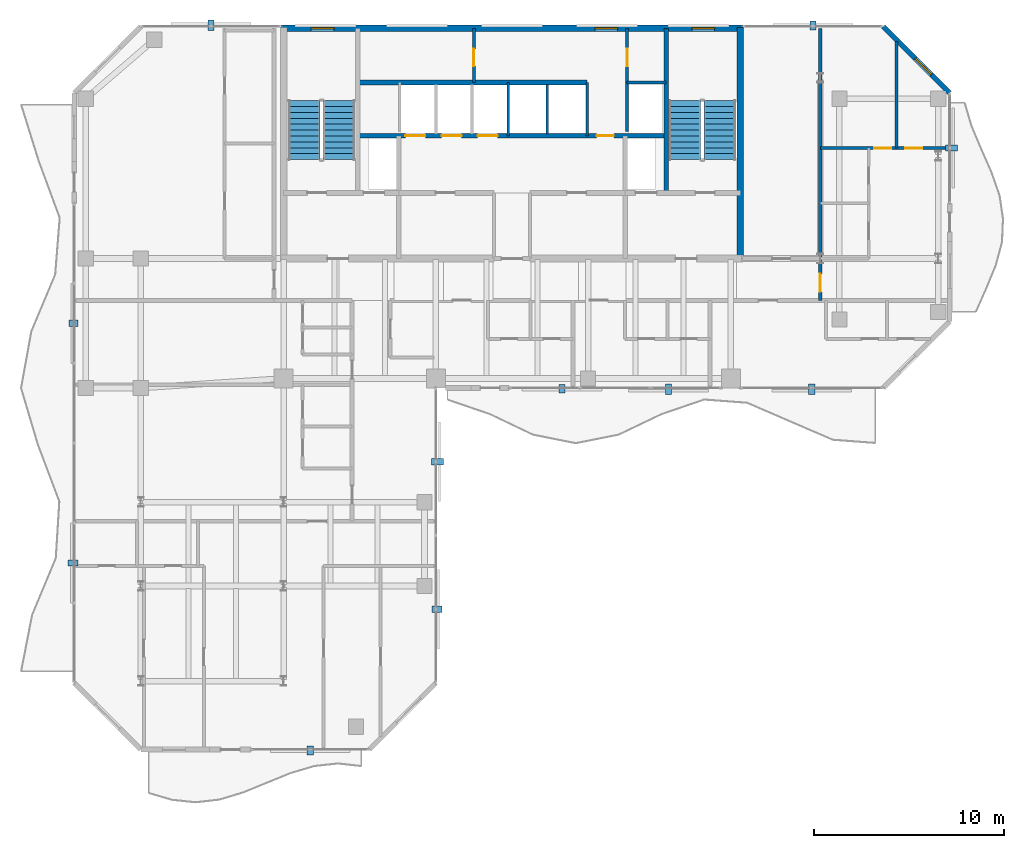
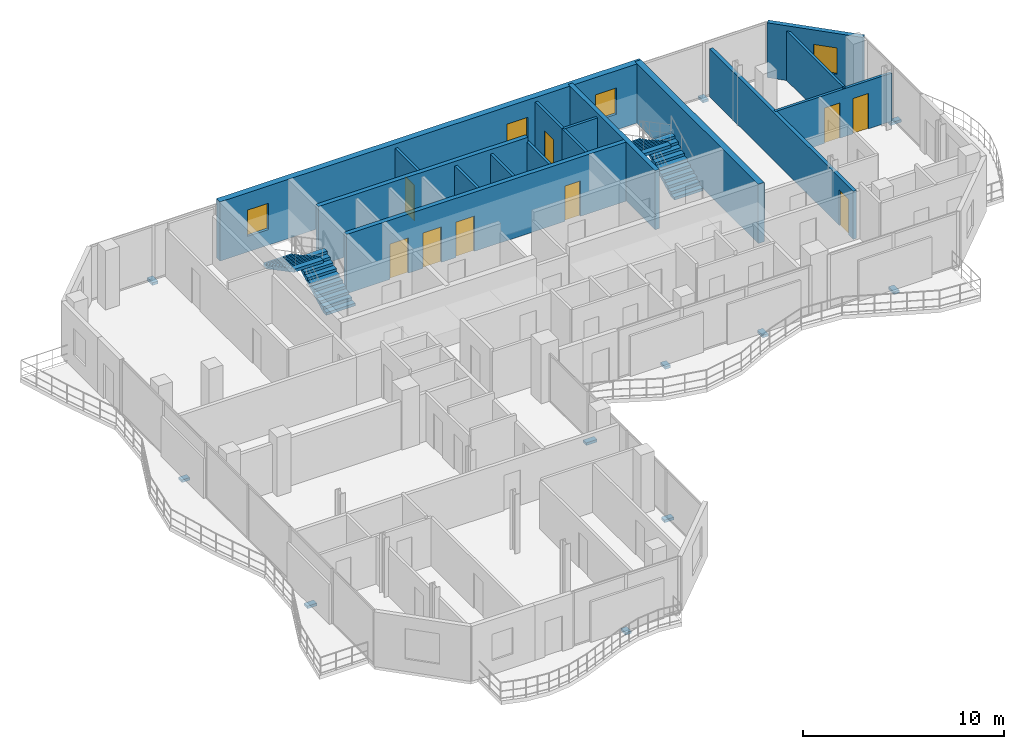
# One storey, part 20 of 23: 16 walls, 11 discrete accessories, 9 doors, 4 stair flights, 4 windows, 13 openings, 2 elements without a shape of their own.
"""IFC4 building model written with IfcOpenShell, lengths in metres."""

from ifc_helpers import new_model, si_unit, direction, frame, frame_2d, origin, origin_2d, place, context, subcontext, project, spatial, polyline, rectangle, outline, extrude, material, layer, layer_set, type_object, element, fill, aggregate, save


model = new_model("IFC4")

# Units and contexts
model_context = context("Model", 3, precision=1e-05, world=origin(), true_north=direction((0.0, 1.0)))
body_context = subcontext(model_context, "Body", "Model", "MODEL_VIEW")
ifc_project = project(units=[si_unit("LENGTHUNIT", "METRE"), si_unit("AREAUNIT", "SQUARE_METRE"), si_unit("VOLUMEUNIT", "CUBIC_METRE"), si_unit("PLANEANGLEUNIT", "RADIAN"), si_unit("MASSUNIT", "GRAM", prefix="KILO")], contexts=[model_context])

# Site, building, storey
site_placement = place(None, origin())
site = spatial("IfcSite", under=ifc_project, at=site_placement, CompositionType="ELEMENT")
building_placement = place(site_placement, origin())
building = spatial("IfcBuilding", under=site, at=building_placement, Name="Catumbela Crestline Tower", CompositionType="ELEMENT")
storey_placement = place(building_placement, frame((0.0, 0.0, 183.0)))
storey = spatial("IfcBuildingStorey", under=building, at=storey_placement, Name="L47", CompositionType="ELEMENT", Elevation=183.0)

# Wall
ifc_material_1 = material(Name="Concrete C50/60", Category="concrete")
ifc_layer_1 = layer(ifc_material_1, 0.25, Name="Concrete C50/60")
ifc_layer_set_1 = layer_set([ifc_layer_1], Name="Concrete C50/60")
wall_type_1 = type_object("IfcWallType", Name="CW-250D", PredefinedType="SHEAR", material=ifc_layer_set_1)
wall_1_placement = place(storey_placement, frame((36.1, 34.25, 0.0), z_axis=(0.0, 0.0, 1.0), x_axis=(0.0, 1.0, 0.0)))
element("IfcWall", 1, at=wall_1_placement, inside=storey, type_object=wall_type_1, Name="L47 Structural Core Shear Wall EWEB", PredefinedType="SHEAR", context=body_context, shape_type="SweptSolid", body=[
    extrude(rectangle(XDim=8.65, YDim=0.25, at=frame_2d((4.325, 0.0))), origin(), (0.0, 0.0, 1.0), 3.6),
])

# Wall, openings, doors
wall_2_placement = place(storey_placement, frame((19.9, 37.25, 0.0), z_axis=(0.0, 0.0, 1.0), x_axis=(1.0, 0.0, 0.0)))
wall_2 = element("IfcWall", 2, at=wall_2_placement, inside=storey, type_object=wall_type_1, Name="L47 Structural Core Shear Wall LIFTN", PredefinedType="SHEAR", context=body_context, shape_type="SweptSolid", body=[
    extrude(rectangle(XDim=16.2, YDim=0.25, at=frame_2d((8.1, 0.0))), origin(), (0.0, 0.0, 1.0), 3.6),
])
opening_1_placement = place(wall_2_placement, frame((12.55, 0.0, 0.0)))
opening_1 = element("IfcOpeningElement", 3, at=opening_1_placement, cuts=wall_2, Name="Opening DF9-090", PredefinedType="OPENING", context=body_context, shape_type="SweptSolid", body=[
    extrude(rectangle(XDim=0.9, YDim=2.15, at=frame_2d((0.45, 1.075))), frame((0.0, 0.135, 0.0), z_axis=(0.0, -1.0, 0.0), x_axis=(1.0, 0.0, 0.0)), (0.0, 0.0, 1.0), 0.27),
])
opening_2_placement = place(wall_2_placement, frame((2.5, 0.0, 0.0)))
opening_2 = element("IfcOpeningElement", 4, at=opening_2_placement, cuts=wall_2, Name="Opening LD-105", PredefinedType="OPENING", context=body_context, shape_type="SweptSolid", body=[
    extrude(rectangle(XDim=1.05, YDim=2.15, at=frame_2d((0.525, 1.075))), frame((0.0, 0.135, 0.0), z_axis=(0.0, -1.0, 0.0), x_axis=(1.0, 0.0, 0.0)), (0.0, 0.0, 1.0), 0.27),
])
opening_3_placement = place(wall_2_placement, frame((4.4, 0.0, 0.0)))
opening_3 = element("IfcOpeningElement", 5, at=opening_3_placement, cuts=wall_2, Name="Opening LD-105", PredefinedType="OPENING", context=body_context, shape_type="SweptSolid", body=[
    extrude(rectangle(XDim=1.05, YDim=2.15, at=frame_2d((0.525, 1.075))), frame((0.0, 0.135, 0.0), z_axis=(0.0, -1.0, 0.0), x_axis=(1.0, 0.0, 0.0)), (0.0, 0.0, 1.0), 0.27),
])
opening_4_placement = place(wall_2_placement, frame((6.3, 0.0, 0.0)))
opening_4 = element("IfcOpeningElement", 6, at=opening_4_placement, cuts=wall_2, Name="Opening LD-105", PredefinedType="OPENING", context=body_context, shape_type="SweptSolid", body=[
    extrude(rectangle(XDim=1.05, YDim=2.15, at=frame_2d((0.525, 1.075))), frame((0.0, 0.135, 0.0), z_axis=(0.0, -1.0, 0.0), x_axis=(1.0, 0.0, 0.0)), (0.0, 0.0, 1.0), 0.27),
])
ifc_material_2 = material(Name="Stainless steel EN 1.4401", Category="steel")
door_type_1 = type_object("IfcDoorType", Name="DF9-090", OperationType="NOTDEFINED", PredefinedType="DOOR", material=ifc_material_2)
door_1_placement = place(opening_1_placement, origin())
door_1 = element("IfcDoor", 7, at=door_1_placement, inside=storey, type_object=door_type_1, Name="L47 Interior Door DR-L47-CPAS1", OperationType="SINGLE_SWING_LEFT", OverallHeight=2.15, OverallWidth=0.9, PredefinedType="DOOR", context=body_context, shape_type="SweptSolid", body=[
    extrude(rectangle(XDim=0.9, YDim=2.15, at=frame_2d((0.45, 1.075))), frame((0.0, 0.025, 0.0), z_axis=(0.0, -1.0, 0.0), x_axis=(1.0, 0.0, 0.0)), (0.0, 0.0, 1.0), 0.05),
])
fill(opening_1, door_1)
door_type_2 = type_object("IfcDoorType", Name="LD-105", OperationType="NOTDEFINED", PredefinedType="DOOR", material=ifc_material_2)
door_2_placement = place(opening_2_placement, origin())
door_2 = element("IfcDoor", 8, at=door_2_placement, inside=storey, type_object=door_type_2, Name="L47 Lift Landing Sliding Door PL-H1", OperationType="DOUBLE_DOOR_SLIDING", OverallHeight=2.15, OverallWidth=1.05, PredefinedType="DOOR", context=body_context, shape_type="SweptSolid", body=[
    extrude(rectangle(XDim=1.05, YDim=2.15, at=frame_2d((0.525, 1.075))), frame((0.0, 0.025, 0.0), z_axis=(0.0, -1.0, 0.0), x_axis=(1.0, 0.0, 0.0)), (0.0, 0.0, 1.0), 0.05),
])
fill(opening_2, door_2)
door_3_placement = place(opening_3_placement, origin())
door_3 = element("IfcDoor", 9, at=door_3_placement, inside=storey, type_object=door_type_2, Name="L47 Lift Landing Sliding Door PL-H2", OperationType="DOUBLE_DOOR_SLIDING", OverallHeight=2.15, OverallWidth=1.05, PredefinedType="DOOR", context=body_context, shape_type="SweptSolid", body=[
    extrude(rectangle(XDim=1.05, YDim=2.15, at=frame_2d((0.525, 1.075))), frame((0.0, 0.025, 0.0), z_axis=(0.0, -1.0, 0.0), x_axis=(1.0, 0.0, 0.0)), (0.0, 0.0, 1.0), 0.05),
])
fill(opening_3, door_3)
door_4_placement = place(opening_4_placement, origin())
door_4 = element("IfcDoor", 10, at=door_4_placement, inside=storey, type_object=door_type_2, Name="L47 Lift Landing Sliding Door PL-H3", OperationType="DOUBLE_DOOR_SLIDING", OverallHeight=2.15, OverallWidth=1.05, PredefinedType="DOOR", context=body_context, shape_type="SweptSolid", body=[
    extrude(rectangle(XDim=1.05, YDim=2.15, at=frame_2d((0.525, 1.075))), frame((0.0, 0.025, 0.0), z_axis=(0.0, -1.0, 0.0), x_axis=(1.0, 0.0, 0.0)), (0.0, 0.0, 1.0), 0.05),
])
fill(opening_4, door_4)

# Walls
wall_3_placement = place(storey_placement, frame((19.9, 40.05, 0.0), z_axis=(0.0, 0.0, 1.0), x_axis=(1.0, 0.0, 0.0)))
element("IfcWall", 11, at=wall_3_placement, inside=storey, type_object=wall_type_1, Name="L47 Structural Core Shear Wall COREN", PredefinedType="SHEAR", context=body_context, shape_type="SweptSolid", body=[
    extrude(rectangle(XDim=12.05, YDim=0.25, at=frame_2d((6.025, 0.0))), origin(), (0.0, 0.0, 1.0), 3.6),
])
ifc_layer_2 = layer(ifc_material_1, 0.35, Name="Concrete C50/60")
ifc_layer_set_2 = layer_set([ifc_layer_2], Name="Concrete C50/60")
wall_type_2 = type_object("IfcWallType", Name="CW-350B", PredefinedType="SHEAR", material=ifc_layer_set_2)
wall_4_placement = place(storey_placement, frame((40.0, 30.65, 0.0), z_axis=(0.0, 0.0, 1.0), x_axis=(0.0, 1.0, 0.0)))
element("IfcWall", 12, at=wall_4_placement, inside=storey, type_object=wall_type_2, Name="L47 Structural Core Shear Wall E", PredefinedType="SHEAR", context=body_context, shape_type="SweptSolid", body=[
    extrude(rectangle(XDim=12.3, YDim=0.35, at=frame_2d((6.15, 0.0))), origin(), (0.0, 0.0, 1.0), 3.6),
])

# Wall, openings, windows
ifc_layer_3 = layer(ifc_material_1, 0.35, Name="Concrete C50/60")
ifc_layer_set_3 = layer_set([ifc_layer_3], Name="Concrete C50/60")
wall_type_3 = type_object("IfcWallType", Name="CW-350E", PredefinedType="SHEAR", material=ifc_layer_set_3)
wall_5_placement = place(storey_placement, frame((15.85, 42.9, 0.0), z_axis=(0.0, 0.0, 1.0), x_axis=(1.0, 0.0, 0.0)))
wall_5 = element("IfcWall", 13, at=wall_5_placement, inside=storey, type_object=wall_type_3, Name="L47 Structural Core Shear Wall N", PredefinedType="SHEAR", context=body_context, shape_type="SweptSolid", body=[
    extrude(rectangle(XDim=24.3, YDim=0.35, at=frame_2d((12.15, 0.0))), origin(), (0.0, 0.0, 1.0), 3.6),
])
opening_5_placement = place(wall_5_placement, frame((1.6, 0.0, 0.95)))
opening_5 = element("IfcOpeningElement", 14, at=opening_5_placement, cuts=wall_5, Name="Opening WN-02", PredefinedType="OPENING", context=body_context, shape_type="SweptSolid", body=[
    extrude(rectangle(XDim=1.2, YDim=1.6, at=frame_2d((0.6, 0.8))), frame((0.0, 0.185, 0.0), z_axis=(0.0, -1.0, 0.0), x_axis=(1.0, 0.0, 0.0)), (0.0, 0.0, 1.0), 0.37),
])
opening_6_placement = place(wall_5_placement, frame((16.5, 0.0, 0.95)))
opening_6 = element("IfcOpeningElement", 15, at=opening_6_placement, cuts=wall_5, Name="Opening WN-02", PredefinedType="OPENING", context=body_context, shape_type="SweptSolid", body=[
    extrude(rectangle(XDim=1.2, YDim=1.6, at=frame_2d((0.6, 0.8))), frame((0.0, 0.185, 0.0), z_axis=(0.0, -1.0, 0.0), x_axis=(1.0, 0.0, 0.0)), (0.0, 0.0, 1.0), 0.37),
])
opening_7_placement = place(wall_5_placement, frame((21.6, 0.0, 0.95)))
opening_7 = element("IfcOpeningElement", 16, at=opening_7_placement, cuts=wall_5, Name="Opening WN-02", PredefinedType="OPENING", context=body_context, shape_type="SweptSolid", body=[
    extrude(rectangle(XDim=1.2, YDim=1.6, at=frame_2d((0.6, 0.8))), frame((0.0, 0.185, 0.0), z_axis=(0.0, -1.0, 0.0), x_axis=(1.0, 0.0, 0.0)), (0.0, 0.0, 1.0), 0.37),
])
ifc_material_3 = material(Name="Low-E laminated solar-control double glazing", Category="glass")
window_type = type_object("IfcWindowType", Name="WO-1200", PartitioningType="SINGLE_PANEL", PredefinedType="WINDOW", material=ifc_material_3)
window_1_placement = place(opening_5_placement, origin())
window_1 = element("IfcWindow", 17, at=window_1_placement, inside=storey, type_object=window_type, Name="L47 North Core Daylight Vision Window 293", OverallHeight=1.6, OverallWidth=1.2, PartitioningType="SINGLE_PANEL", PredefinedType="WINDOW", context=body_context, shape_type="SweptSolid", body=[
    extrude(rectangle(XDim=1.2, YDim=1.6, at=frame_2d((0.6, 0.8))), frame((0.0, 0.03, 0.0), z_axis=(0.0, -1.0, 0.0), x_axis=(1.0, 0.0, 0.0)), (0.0, 0.0, 1.0), 0.06),
])
fill(opening_5, window_1)
window_2_placement = place(opening_6_placement, origin())
window_2 = element("IfcWindow", 18, at=window_2_placement, inside=storey, type_object=window_type, Name="L47 North Core Daylight Vision Window 294", OverallHeight=1.6, OverallWidth=1.2, PartitioningType="SINGLE_PANEL", PredefinedType="WINDOW", context=body_context, shape_type="SweptSolid", body=[
    extrude(rectangle(XDim=1.2, YDim=1.6, at=frame_2d((0.6, 0.8))), frame((0.0, 0.03, 0.0), z_axis=(0.0, -1.0, 0.0), x_axis=(1.0, 0.0, 0.0)), (0.0, 0.0, 1.0), 0.06),
])
fill(opening_6, window_2)
window_3_placement = place(opening_7_placement, origin())
window_3 = element("IfcWindow", 19, at=window_3_placement, inside=storey, type_object=window_type, Name="L47 North Core Daylight Vision Window 295", OverallHeight=1.6, OverallWidth=1.2, PartitioningType="SINGLE_PANEL", PredefinedType="WINDOW", context=body_context, shape_type="SweptSolid", body=[
    extrude(rectangle(XDim=1.2, YDim=1.6, at=frame_2d((0.6, 0.8))), frame((0.0, 0.03, 0.0), z_axis=(0.0, -1.0, 0.0), x_axis=(1.0, 0.0, 0.0)), (0.0, 0.0, 1.0), 0.06),
])
fill(opening_7, window_3)

# Wall, opening, door
ifc_material_4 = material(Name="Acoustic gypsum and mineral-wool partition")
ifc_layer_4 = layer(ifc_material_4, 0.2, Name="Acoustic gypsum and mineral-wool partition")
ifc_layer_set_4 = layer_set([ifc_layer_4], Name="Acoustic gypsum and mineral-wool partition")
wall_type_4 = type_object("IfcWallType", Name="WC-200", PredefinedType="PARTITIONING", material=ifc_layer_set_4)
wall_6_placement = place(storey_placement, frame((44.2, 28.6, 0.0), z_axis=(0.0, 0.0, 1.0), x_axis=(0.0, 1.0, 0.0)))
wall_6 = element("IfcWall", 20, at=wall_6_placement, inside=storey, type_object=wall_type_4, Name="L47 Interior Partition PW-L47-NE1-ENT", PredefinedType="PARTITIONING", context=body_context, shape_type="SweptSolid", body=[
    extrude(rectangle(XDim=14.3, YDim=0.2, at=frame_2d((7.15, 0.0))), origin(), (0.0, 0.0, 1.0), 2.92),
])
opening_8_placement = place(wall_6_placement, frame((0.445, 0.0, 0.0)))
opening_8 = element("IfcOpeningElement", 21, at=opening_8_placement, cuts=wall_6, Name="Opening DF6-095", PredefinedType="OPENING", context=body_context, shape_type="SweptSolid", body=[
    extrude(rectangle(XDim=0.95, YDim=2.15, at=frame_2d((0.475, 1.075))), frame((0.0, 0.11, 0.0), z_axis=(0.0, -1.0, 0.0), x_axis=(1.0, 0.0, 0.0)), (0.0, 0.0, 1.0), 0.22),
])
ifc_material_5 = material(Name="Aluminium alloy AW-6060-T66", Category="aluminium")
door_type_3 = type_object("IfcDoorType", Name="DF6-095", OperationType="NOTDEFINED", PredefinedType="DOOR", material=ifc_material_5)
door_5_placement = place(opening_8_placement, origin())
door_5 = element("IfcDoor", 22, at=door_5_placement, inside=storey, type_object=door_type_3, Name="L47 Interior Door DR-L47-NE1-ENT", OperationType="SINGLE_SWING_LEFT", OverallHeight=2.15, OverallWidth=0.95, PredefinedType="DOOR", context=body_context, shape_type="SweptSolid", body=[
    extrude(rectangle(XDim=0.95, YDim=2.15, at=frame_2d((0.475, 1.075))), frame((0.0, 0.025, 0.0), z_axis=(0.0, -1.0, 0.0), x_axis=(1.0, 0.0, 0.0)), (0.0, 0.0, 1.0), 0.05),
])
fill(opening_8, door_5)

# Wall, opening, window
ifc_material_6 = material(Name="Angolan grey-ochre granite", Category="masonry")
ifc_layer_5 = layer(ifc_material_6, 0.25, Name="Angolan grey-ochre granite")
ifc_layer_set_5 = layer_set([ifc_layer_5], Name="Angolan grey-ochre granite")
wall_type_5 = type_object("IfcWallType", Name="WE-250", PredefinedType="STANDARD", material=ifc_layer_set_5)
wall_7_placement = place(storey_placement, frame((51.0, 39.5, 0.0), z_axis=(0.0, 0.0, 1.0), x_axis=(-0.707106781187, 0.707106781187, 0.0)))
wall_7 = element("IfcWall", 23, at=wall_7_placement, inside=storey, type_object=wall_type_5, Name="L47 Granite Punched Window Wall 6-1", PredefinedType="STANDARD", context=body_context, shape_type="SweptSolid", body=[
    extrude(rectangle(XDim=4.9497, YDim=0.25, at=frame_2d((2.4748, 0.0))), origin(), (0.0, 0.0, 1.0), 3.33),
])
opening_9_placement = place(wall_7_placement, frame((1.3574, 0.0, 0.85)))
opening_9 = element("IfcOpeningElement", 24, at=opening_9_placement, cuts=wall_7, Name="Opening WN-02", PredefinedType="OPENING", context=body_context, shape_type="SweptSolid", body=[
    extrude(rectangle(XDim=1.2, YDim=1.6, at=frame_2d((0.6, 0.8))), frame((0.0, 0.135, 0.0), z_axis=(0.0, -1.0, 0.0), x_axis=(1.0, 0.0, 0.0)), (0.0, 0.0, 1.0), 0.27),
])
window_4_placement = place(opening_9_placement, origin())
window_4 = element("IfcWindow", 25, at=window_4_placement, inside=storey, type_object=window_type, Name="L47 Facade Vision Window 300", OverallHeight=1.6, OverallWidth=1.2, PartitioningType="SINGLE_PANEL", PredefinedType="WINDOW", context=body_context, shape_type="SweptSolid", body=[
    extrude(rectangle(XDim=1.2, YDim=1.6, at=frame_2d((0.6, 0.8))), frame((0.0, 0.03, 0.0), z_axis=(0.0, -1.0, 0.0), x_axis=(1.0, 0.0, 0.0)), (0.0, 0.0, 1.0), 0.06),
])
fill(opening_9, window_4)

# Wall
ifc_layer_6 = layer(ifc_material_4, 0.15, Name="Acoustic gypsum and mineral-wool partition")
ifc_layer_set_6 = layer_set([ifc_layer_6], Name="Acoustic gypsum and mineral-wool partition")
wall_type_6 = type_object("IfcWallType", Name="WP-150", PredefinedType="PARTITIONING", material=ifc_layer_set_6)
wall_8_placement = place(storey_placement, frame((34.05, 40.05, 0.0), z_axis=(0.0, 0.0, 1.0), x_axis=(1.0, 0.0, 0.0)))
element("IfcWall", 26, at=wall_8_placement, inside=storey, type_object=wall_type_6, Name="L47 Interior Partition PW-L47-CR-ES", PredefinedType="PARTITIONING", context=body_context, shape_type="SweptSolid", body=[
    extrude(rectangle(XDim=2.05, YDim=0.15, at=frame_2d((1.025, 0.0))), origin(), (0.0, 0.0, 1.0), 3.33),
])

# Wall, opening, door
wall_9_placement = place(storey_placement, frame((34.05, 40.05, 0.0), z_axis=(0.0, 0.0, 1.0), x_axis=(0.0, 1.0, 0.0)))
wall_9 = element("IfcWall", 27, at=wall_9_placement, inside=storey, type_object=wall_type_6, Name="L47 Interior Partition PW-L47-CR-EW", PredefinedType="PARTITIONING", context=body_context, shape_type="SweptSolid", body=[
    extrude(rectangle(XDim=2.85, YDim=0.15, at=frame_2d((1.425, 0.0))), origin(), (0.0, 0.0, 1.0), 3.33),
])
opening_10_placement = place(wall_9_placement, frame((0.865, 0.0, 0.0)))
opening_10 = element("IfcOpeningElement", 28, at=opening_10_placement, cuts=wall_9, Name="Opening DF9-090", PredefinedType="OPENING", context=body_context, shape_type="SweptSolid", body=[
    extrude(rectangle(XDim=0.9, YDim=2.15, at=frame_2d((0.45, 1.075))), frame((0.0, 0.085, 0.0), z_axis=(0.0, -1.0, 0.0), x_axis=(1.0, 0.0, 0.0)), (0.0, 0.0, 1.0), 0.17),
])
door_6_placement = place(opening_10_placement, origin())
door_6 = element("IfcDoor", 29, at=door_6_placement, inside=storey, type_object=door_type_1, Name="L47 Interior Door DR-L47-CREAST", OperationType="SINGLE_SWING_RIGHT", OverallHeight=2.15, OverallWidth=0.9, PredefinedType="DOOR", context=body_context, shape_type="SweptSolid", body=[
    extrude(rectangle(XDim=0.9, YDim=2.15, at=frame_2d((0.45, 1.075))), frame((0.0, 0.025, 0.0), z_axis=(0.0, -1.0, 0.0), x_axis=(1.0, 0.0, 0.0)), (0.0, 0.0, 1.0), 0.05),
])
fill(opening_10, door_6)

wall_10_placement = place(storey_placement, frame((26.0, 40.05, 0.0), z_axis=(0.0, 0.0, 1.0), x_axis=(0.0, 1.0, 0.0)))
wall_10 = element("IfcWall", 30, at=wall_10_placement, inside=storey, type_object=wall_type_6, Name="L47 Interior Partition PW-L47-CR-WW", PredefinedType="PARTITIONING", context=body_context, shape_type="SweptSolid", body=[
    extrude(rectangle(XDim=2.85, YDim=0.15, at=frame_2d((1.425, 0.0))), origin(), (0.0, 0.0, 1.0), 3.33),
])
opening_11_placement = place(wall_10_placement, frame((0.865, 0.0, 0.0)))
opening_11 = element("IfcOpeningElement", 31, at=opening_11_placement, cuts=wall_10, Name="Opening DF9-090", PredefinedType="OPENING", context=body_context, shape_type="SweptSolid", body=[
    extrude(rectangle(XDim=0.9, YDim=2.15, at=frame_2d((0.45, 1.075))), frame((0.0, 0.085, 0.0), z_axis=(0.0, -1.0, 0.0), x_axis=(1.0, 0.0, 0.0)), (0.0, 0.0, 1.0), 0.17),
])
door_7_placement = place(opening_11_placement, origin())
door_7 = element("IfcDoor", 32, at=door_7_placement, inside=storey, type_object=door_type_1, Name="L47 Interior Door DR-L47-CRWEST", OperationType="SINGLE_SWING_LEFT", OverallHeight=2.15, OverallWidth=0.9, PredefinedType="DOOR", context=body_context, shape_type="SweptSolid", body=[
    extrude(rectangle(XDim=0.9, YDim=2.15, at=frame_2d((0.45, 1.075))), frame((0.0, 0.025, 0.0), z_axis=(0.0, -1.0, 0.0), x_axis=(1.0, 0.0, 0.0)), (0.0, 0.0, 1.0), 0.05),
])
fill(opening_11, door_7)

# Wall, openings, doors
wall_11_placement = place(storey_placement, frame((44.2, 36.608, 0.0), z_axis=(0.0, 0.0, 1.0), x_axis=(1.0, 0.0, 0.0)))
wall_11 = element("IfcWall", 33, at=wall_11_placement, inside=storey, type_object=wall_type_6, Name="L47 Interior Partition PW-L47-NE1-KBN", PredefinedType="PARTITIONING", context=body_context, shape_type="SweptSolid", body=[
    extrude(rectangle(XDim=6.7, YDim=0.15, at=frame_2d((3.35, 0.0))), origin(), (0.0, 0.0, 1.0), 2.92),
])
opening_12_placement = place(wall_11_placement, frame((2.821, 0.0, 0.0)))
opening_12 = element("IfcOpeningElement", 34, at=opening_12_placement, cuts=wall_11, Name="Opening DI-090", PredefinedType="OPENING", context=body_context, shape_type="SweptSolid", body=[
    extrude(rectangle(XDim=0.9, YDim=2.15, at=frame_2d((0.45, 1.075))), frame((0.0, 0.085, 0.0), z_axis=(0.0, -1.0, 0.0), x_axis=(1.0, 0.0, 0.0)), (0.0, 0.0, 1.0), 0.17),
])
opening_13_placement = place(wall_11_placement, frame((4.4569, 0.0, 0.0)))
opening_13 = element("IfcOpeningElement", 35, at=opening_13_placement, cuts=wall_11, Name="Opening DI-090", PredefinedType="OPENING", context=body_context, shape_type="SweptSolid", body=[
    extrude(rectangle(XDim=0.9, YDim=2.15, at=frame_2d((0.45, 1.075))), frame((0.0, 0.085, 0.0), z_axis=(0.0, -1.0, 0.0), x_axis=(1.0, 0.0, 0.0)), (0.0, 0.0, 1.0), 0.17),
])
door_type_4 = type_object("IfcDoorType", Name="DI-090", OperationType="NOTDEFINED", PredefinedType="DOOR", material=ifc_material_5)
door_8_placement = place(opening_12_placement, origin())
door_8 = element("IfcDoor", 36, at=door_8_placement, inside=storey, type_object=door_type_4, Name="L47 Interior Door DR-L47-NE1-BD1", OperationType="SINGLE_SWING_LEFT", OverallHeight=2.15, OverallWidth=0.9, PredefinedType="DOOR", context=body_context, shape_type="SweptSolid", body=[
    extrude(rectangle(XDim=0.9, YDim=2.15, at=frame_2d((0.45, 1.075))), frame((0.0, 0.025, 0.0), z_axis=(0.0, -1.0, 0.0), x_axis=(1.0, 0.0, 0.0)), (0.0, 0.0, 1.0), 0.05),
])
fill(opening_12, door_8)
door_9_placement = place(opening_13_placement, origin())
door_9 = element("IfcDoor", 37, at=door_9_placement, inside=storey, type_object=door_type_4, Name="L47 Interior Door DR-L47-NE1-BD2", OperationType="SINGLE_SWING_RIGHT", OverallHeight=2.15, OverallWidth=0.9, PredefinedType="DOOR", context=body_context, shape_type="SweptSolid", body=[
    extrude(rectangle(XDim=0.9, YDim=2.15, at=frame_2d((0.45, 1.075))), frame((0.0, 0.025, 0.0), z_axis=(0.0, -1.0, 0.0), x_axis=(1.0, 0.0, 0.0)), (0.0, 0.0, 1.0), 0.05),
])
fill(opening_13, door_9)

# Walls
wall_12_placement = place(storey_placement, frame((48.196, 36.608, 0.0), z_axis=(0.0, 0.0, 1.0), x_axis=(0.0, 1.0, 0.0)))
element("IfcWall", 38, at=wall_12_placement, inside=storey, type_object=wall_type_6, Name="L47 Interior Partition PW-L47-NE1-BDP", PredefinedType="PARTITIONING", context=body_context, shape_type="SweptSolid", body=[
    extrude(rectangle(XDim=5.596, YDim=0.15, at=frame_2d((2.798, 0.0))), origin(), (0.0, 0.0, 1.0), 3.02),
])
ifc_layer_7 = layer(ifc_material_4, 0.15, Name="Acoustic gypsum and mineral-wool partition")
ifc_layer_set_7 = layer_set([ifc_layer_7], Name="Acoustic gypsum and mineral-wool partition")
wall_type_7 = type_object("IfcWallType", Name="WS-150", PredefinedType="PLUMBINGWALL", material=ifc_layer_set_7)
for number, where, z_axis, x_axis, name in (
    (39, (27.8, 37.25, 0.0), (0.0, 0.0, 1.0), (0.0, 1.0, 0.0), "L47 Interior Partition PW-L47-SHH3"),
    (40, (31.95, 37.25, 0.0), (0.0, 0.0, 1.0), (0.0, 1.0, 0.0), "L47 Interior Partition PW-L47-SHEX2E"),
):
    element("IfcWall", number, at=place(storey_placement, frame(where, z_axis=z_axis, x_axis=x_axis)), inside=storey, type_object=wall_type_7, Name=name, PredefinedType="PLUMBINGWALL", context=body_context, shape_type="SweptSolid", body=[
        extrude(rectangle(XDim=2.8, YDim=0.15, at=frame_2d((1.4, 0.0))), origin(), (0.0, 0.0, 1.0), 3.33),
    ])
wall_13_placement = place(storey_placement, frame((29.85, 37.35, 0.0), z_axis=(0.0, 0.0, 1.0), x_axis=(0.0, 1.0, 0.0)))
element("IfcWall", 41, at=wall_13_placement, inside=storey, type_object=wall_type_7, Name="L47 Interior Partition PW-L47-SHEX1", PredefinedType="PLUMBINGWALL", context=body_context, shape_type="SweptSolid", body=[
    extrude(rectangle(XDim=2.6, YDim=0.15, at=frame_2d((1.3, 0.0))), origin(), (0.0, 0.0, 1.0), 3.33),
])
wall_14_placement = place(storey_placement, frame((34.05, 37.4734, 0.0), z_axis=(0.0, 0.0, 1.0), x_axis=(0.0, 1.0, 0.0)))
element("IfcWall", 42, at=wall_14_placement, inside=storey, type_object=wall_type_7, Name="L47 Interior Partition PW-L47-RISW", PredefinedType="PLUMBINGWALL", context=body_context, shape_type="SweptSolid", body=[
    extrude(rectangle(XDim=2.5766, YDim=0.15, at=frame_2d((1.2883, 0.0))), origin(), (0.0, 0.0, 1.0), 3.33),
])

# Stair, stair flights
ifc_material_7 = material(Name="Concrete C45/55", Category="concrete")
stair_type = type_object("IfcStairType", Name="ST-DLG", PredefinedType="HALF_TURN_STAIR", material=ifc_material_7)
stair_1_placement = place(storey_placement, origin())
stair_1 = element("IfcStair", 43, at=stair_1_placement, inside=storey, type_object=stair_type, Name="L47 West Core Pressurised Exit Stair ST-01", PredefinedType="HALF_TURN_STAIR")
stair_flight_type = type_object("IfcStairFlightType", Name="SF-1636", PredefinedType="STRAIGHT", material=ifc_material_7)
stair_flight_1_placement = place(storey_placement, frame((18.92, 36.0, 0.0), z_axis=(0.0, 0.0, 1.0), x_axis=(0.0, 1.0, 0.0)))
stair_flight_1 = element("IfcStairFlight", 44, at=stair_flight_1_placement, type_object=stair_flight_type, Name="ST-01 flight 1", NumberOfRisers=11, NumberOfTreads=10, PredefinedType="STRAIGHT", RiserHeight=0.163636364, TreadLength=0.31, context=body_context, shape_type="SweptSolid", body=[
    extrude(outline(polyline([(0.0, 0.0), (0.0, 0.1636), (0.31, 0.1636), (0.31, 0.3273), (0.62, 0.3273), (0.62, 0.4909), (0.93, 0.4909), (0.93, 0.6545), (1.24, 0.6545), (1.24, 0.8182), (1.55, 0.8182), (1.55, 0.9818), (1.86, 0.9818), (1.86, 1.1455), (2.17, 1.1455), (2.17, 1.3091), (2.48, 1.3091), (2.48, 1.4727), (2.79, 1.4727), (2.79, 1.6364), (3.1, 1.6364), (3.1, 1.8), (3.1, 1.4554), (0.3427, 0.0), (0.0, 0.0)])), frame((0.0, 0.83, 0.0), z_axis=(0.0, -1.0, 0.0), x_axis=(1.0, 0.0, 0.0)), (0.0, 0.0, 1.0), 1.66),
])
stair_flight_2_placement = place(storey_placement, frame((17.08, 39.1, 1.8), z_axis=(0.0, 0.0, 1.0), x_axis=(0.0, -1.0, 0.0)))
stair_flight_2 = element("IfcStairFlight", 45, at=stair_flight_2_placement, type_object=stair_flight_type, Name="ST-01 flight 2", NumberOfRisers=11, NumberOfTreads=10, PredefinedType="STRAIGHT", RiserHeight=0.163636364, TreadLength=0.31, context=body_context, shape_type="SweptSolid", body=[
    extrude(outline(polyline([(0.0, 0.0), (0.0, 0.1636), (0.31, 0.1636), (0.31, 0.3273), (0.62, 0.3273), (0.62, 0.4909), (0.93, 0.4909), (0.93, 0.6545), (1.24, 0.6545), (1.24, 0.8182), (1.55, 0.8182), (1.55, 0.9818), (1.86, 0.9818), (1.86, 1.1455), (2.17, 1.1455), (2.17, 1.3091), (2.48, 1.3091), (2.48, 1.4727), (2.79, 1.4727), (2.79, 1.6364), (3.1, 1.6364), (3.1, 1.8), (3.1, 1.4554), (0.3427, 0.0), (0.0, 0.0)])), frame((0.0, 0.83, 0.0), z_axis=(0.0, -1.0, 0.0), x_axis=(1.0, 0.0, 0.0)), (0.0, 0.0, 1.0), 1.66),
])
aggregate(stair_1, [stair_flight_1, stair_flight_2])

stair_2_placement = place(storey_placement, origin())
stair_2 = element("IfcStair", 46, at=stair_2_placement, inside=storey, type_object=stair_type, Name="L47 East Core Pressurised Exit Stair ST-02", PredefinedType="HALF_TURN_STAIR")
stair_flight_3_placement = place(storey_placement, frame((38.92, 36.0, 0.0), z_axis=(0.0, 0.0, 1.0), x_axis=(0.0, 1.0, 0.0)))
stair_flight_3 = element("IfcStairFlight", 47, at=stair_flight_3_placement, type_object=stair_flight_type, Name="ST-02 flight 1", NumberOfRisers=11, NumberOfTreads=10, PredefinedType="STRAIGHT", RiserHeight=0.163636364, TreadLength=0.31, context=body_context, shape_type="SweptSolid", body=[
    extrude(outline(polyline([(0.0, 0.0), (0.0, 0.1636), (0.31, 0.1636), (0.31, 0.3273), (0.62, 0.3273), (0.62, 0.4909), (0.93, 0.4909), (0.93, 0.6545), (1.24, 0.6545), (1.24, 0.8182), (1.55, 0.8182), (1.55, 0.9818), (1.86, 0.9818), (1.86, 1.1455), (2.17, 1.1455), (2.17, 1.3091), (2.48, 1.3091), (2.48, 1.4727), (2.79, 1.4727), (2.79, 1.6364), (3.1, 1.6364), (3.1, 1.8), (3.1, 1.4554), (0.3427, 0.0), (0.0, 0.0)])), frame((0.0, 0.83, 0.0), z_axis=(0.0, -1.0, 0.0), x_axis=(1.0, 0.0, 0.0)), (0.0, 0.0, 1.0), 1.66),
])
stair_flight_4_placement = place(storey_placement, frame((37.08, 39.1, 1.8), z_axis=(0.0, 0.0, 1.0), x_axis=(0.0, -1.0, 0.0)))
stair_flight_4 = element("IfcStairFlight", 48, at=stair_flight_4_placement, type_object=stair_flight_type, Name="ST-02 flight 2", NumberOfRisers=11, NumberOfTreads=10, PredefinedType="STRAIGHT", RiserHeight=0.163636364, TreadLength=0.31, context=body_context, shape_type="SweptSolid", body=[
    extrude(outline(polyline([(0.0, 0.0), (0.0, 0.1636), (0.31, 0.1636), (0.31, 0.3273), (0.62, 0.3273), (0.62, 0.4909), (0.93, 0.4909), (0.93, 0.6545), (1.24, 0.6545), (1.24, 0.8182), (1.55, 0.8182), (1.55, 0.9818), (1.86, 0.9818), (1.86, 1.1455), (2.17, 1.1455), (2.17, 1.3091), (2.48, 1.3091), (2.48, 1.4727), (2.79, 1.4727), (2.79, 1.6364), (3.1, 1.6364), (3.1, 1.8), (3.1, 1.4554), (0.3427, 0.0), (0.0, 0.0)])), frame((0.0, 0.83, 0.0), z_axis=(0.0, -1.0, 0.0), x_axis=(1.0, 0.0, 0.0)), (0.0, 0.0, 1.0), 1.66),
])
aggregate(stair_2, [stair_flight_3, stair_flight_4])

# Discrete accessories
discrete_accessory_type = type_object("IfcDiscreteAccessoryType", Name="BK-SS1", PredefinedType="BRACKET", material=ifc_material_2)
discrete_accessory_1_placement = place(storey_placement, frame((17.4, 4.955, -0.18), z_axis=(0.0, 0.0, 1.0), x_axis=(1.0, 0.0, 0.0)))
element("IfcDiscreteAccessory", 49, at=discrete_accessory_1_placement, inside=storey, type_object=discrete_accessory_type, Name="L47 Solar Screen Stainless Bracket 544", PredefinedType="BRACKET", context=body_context, shape_type="SweptSolid", body=[
    extrude(rectangle(XDim=0.32, YDim=0.46, at=origin_2d()), origin(), (0.0, 0.0, 1.0), 0.16),
])
discrete_accessory_2_placement = place(storey_placement, frame((24.065, 12.375, -0.18), z_axis=(0.0, 0.0, 1.0), x_axis=(0.0, 1.0, 0.0)))
element("IfcDiscreteAccessory", 50, at=discrete_accessory_2_placement, inside=storey, type_object=discrete_accessory_type, Name="L47 Solar Screen Stainless Bracket 545", PredefinedType="BRACKET", context=body_context, shape_type="SweptSolid", body=[
    extrude(rectangle(XDim=0.32, YDim=0.54, at=origin_2d()), origin(), (0.0, 0.0, 1.0), 0.16),
])
discrete_accessory_3_placement = place(storey_placement, frame((24.085, 20.125, -0.18), z_axis=(0.0, 0.0, 1.0), x_axis=(0.0, 1.0, 0.0)))
element("IfcDiscreteAccessory", 51, at=discrete_accessory_3_placement, inside=storey, type_object=discrete_accessory_type, Name="L47 Solar Screen Stainless Bracket 546", PredefinedType="BRACKET", context=body_context, shape_type="SweptSolid", body=[
    extrude(rectangle(XDim=0.32, YDim=0.62, at=origin_2d()), origin(), (0.0, 0.0, 1.0), 0.16),
])
discrete_accessory_4_placement = place(storey_placement, frame((30.6375, 23.955, -0.18), z_axis=(0.0, 0.0, 1.0), x_axis=(1.0, 0.0, 0.0)))
element("IfcDiscreteAccessory", 52, at=discrete_accessory_4_placement, inside=storey, type_object=discrete_accessory_type, Name="L47 Solar Screen Stainless Bracket 547", PredefinedType="BRACKET", context=body_context, shape_type="SweptSolid", body=[
    extrude(rectangle(XDim=0.32, YDim=0.46, at=origin_2d()), origin(), (0.0, 0.0, 1.0), 0.16),
])
for number, where, z_axis, x_axis, name in (
    (53, (36.2125, 23.935, -0.18), (0.0, 0.0, 1.0), (1.0, 0.0, 0.0), "L47 Solar Screen Stainless Bracket 548"),
    (54, (43.75, 23.935, -0.18), (0.0, 0.0, 1.0), (1.0, 0.0, 0.0), "L47 Solar Screen Stainless Bracket 549"),
):
    element("IfcDiscreteAccessory", number, at=place(storey_placement, frame(where, z_axis=z_axis, x_axis=x_axis)), inside=storey, type_object=discrete_accessory_type, Name=name, PredefinedType="BRACKET", context=body_context, shape_type="SweptSolid", body=[
        extrude(rectangle(XDim=0.32, YDim=0.54, at=origin_2d()), origin(), (0.0, 0.0, 1.0), 0.16),
    ])
discrete_accessory_5_placement = place(storey_placement, frame((51.085, 36.6, -0.18), z_axis=(0.0, 0.0, 1.0), x_axis=(0.0, 1.0, 0.0)))
element("IfcDiscreteAccessory", 55, at=discrete_accessory_5_placement, inside=storey, type_object=discrete_accessory_type, Name="L47 Solar Screen Stainless Bracket 550", PredefinedType="BRACKET", context=body_context, shape_type="SweptSolid", body=[
    extrude(rectangle(XDim=0.32, YDim=0.62, at=origin_2d()), origin(), (0.0, 0.0, 1.0), 0.16),
])
discrete_accessory_6_placement = place(storey_placement, frame((43.82, 43.045, -0.18), z_axis=(0.0, 0.0, 1.0), x_axis=(-1.0, 0.0, 0.0)))
element("IfcDiscreteAccessory", 56, at=discrete_accessory_6_placement, inside=storey, type_object=discrete_accessory_type, Name="L47 Solar Screen Stainless Bracket 551", PredefinedType="BRACKET", context=body_context, shape_type="SweptSolid", body=[
    extrude(rectangle(XDim=0.32, YDim=0.46, at=origin_2d()), origin(), (0.0, 0.0, 1.0), 0.16),
])
discrete_accessory_7_placement = place(storey_placement, frame((12.18, 43.065, -0.18), z_axis=(0.0, 0.0, 1.0), x_axis=(-1.0, 0.0, 0.0)))
element("IfcDiscreteAccessory", 57, at=discrete_accessory_7_placement, inside=storey, type_object=discrete_accessory_type, Name="L47 Solar Screen Stainless Bracket 552", PredefinedType="BRACKET", context=body_context, shape_type="SweptSolid", body=[
    extrude(rectangle(XDim=0.32, YDim=0.54, at=origin_2d()), origin(), (0.0, 0.0, 1.0), 0.16),
])
discrete_accessory_8_placement = place(storey_placement, frame((4.955, 27.4, -0.18), z_axis=(0.0, 0.0, 1.0), x_axis=(0.0, -1.0, 0.0)))
element("IfcDiscreteAccessory", 58, at=discrete_accessory_8_placement, inside=storey, type_object=discrete_accessory_type, Name="L47 Solar Screen Stainless Bracket 553", PredefinedType="BRACKET", context=body_context, shape_type="SweptSolid", body=[
    extrude(rectangle(XDim=0.32, YDim=0.46, at=origin_2d()), origin(), (0.0, 0.0, 1.0), 0.16),
])
discrete_accessory_9_placement = place(storey_placement, frame((4.935, 14.8, -0.18), z_axis=(0.0, 0.0, 1.0), x_axis=(0.0, -1.0, 0.0)))
element("IfcDiscreteAccessory", 59, at=discrete_accessory_9_placement, inside=storey, type_object=discrete_accessory_type, Name="L47 Solar Screen Stainless Bracket 554", PredefinedType="BRACKET", context=body_context, shape_type="SweptSolid", body=[
    extrude(rectangle(XDim=0.32, YDim=0.54, at=origin_2d()), origin(), (0.0, 0.0, 1.0), 0.16),
])

save(model, "model.ifc")
